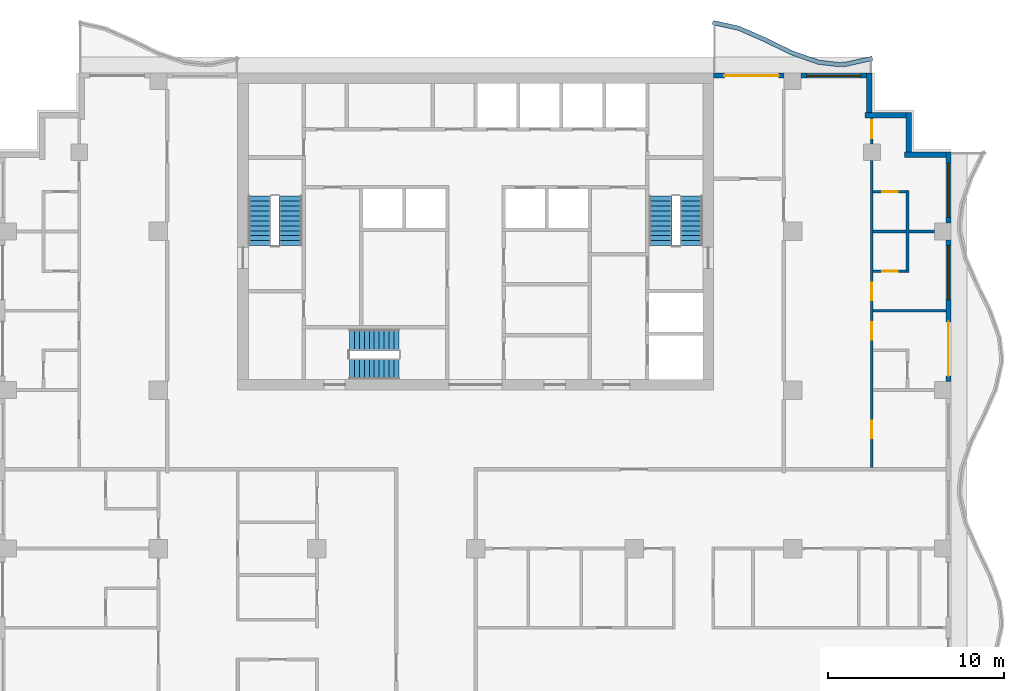
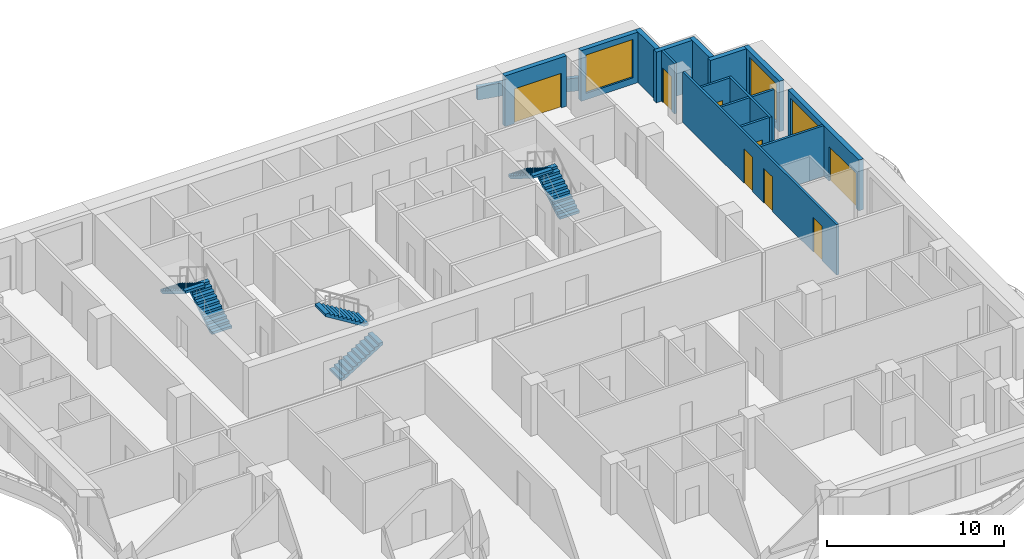
# One storey, part 7 of 11: 17 walls, 8 doors, 6 stair flights, 3 windows, 11 openings, 3 elements without a shape of their own.
"""IFC4 building model written with IfcOpenShell, lengths in metres."""

from ifc_helpers import new_model, si_unit, direction, frame, frame_2d, origin, place, context, subcontext, project, spatial, polyline, rectangle, outline, extrude, material, layer, layer_set, type_object, element, fill, aggregate, save


model = new_model("IFC4")

# Units and contexts
model_context = context("Model", 3, precision=1e-05, world=origin(), true_north=direction((0.0, 1.0)))
body_context = subcontext(model_context, "Body", "Model", "MODEL_VIEW")
ifc_project = project(units=[si_unit("LENGTHUNIT", "METRE"), si_unit("AREAUNIT", "SQUARE_METRE"), si_unit("VOLUMEUNIT", "CUBIC_METRE"), si_unit("PLANEANGLEUNIT", "RADIAN"), si_unit("MASSUNIT", "GRAM", prefix="KILO")], contexts=[model_context])

# Site, building, storey
site_placement = place(None, origin())
site = spatial("IfcSite", under=ifc_project, at=site_placement, CompositionType="ELEMENT")
building_placement = place(site_placement, origin())
building = spatial("IfcBuilding", under=site, at=building_placement, Name="Orbiselva Terraces", CompositionType="ELEMENT")
storey_placement = place(building_placement, frame((0.0, 0.0, 230.0)))
storey = spatial("IfcBuildingStorey", under=building, at=storey_placement, Name="L58", CompositionType="ELEMENT", Elevation=230.0)

# Wall
ifc_material_1 = material(Name="Concrete C40/50", Category="concrete")
ifc_layer_1 = layer(ifc_material_1, 0.25)
ifc_layer_set_1 = layer_set([ifc_layer_1], Name="Concrete C40/50")
wall_type_1 = type_object("IfcWallType", Name="ENV-PLANTER-250x900", PredefinedType="USERDEFINED", material=ifc_layer_set_1)
wall_1_placement = place(storey_placement, origin())
element("IfcWall", 1, at=wall_1_placement, inside=storey, type_object=wall_type_1, Name="Balcony planter L58 NE", ObjectType="PLANTER", PredefinedType="USERDEFINED", context=body_context, shape_type="SweptSolid", body=[
    extrude(outline(polyline([(22.5, 23.451472), (21.0, 23.114774), (20.625, 23.1), (19.5, 23.230792), (18.0, 23.755211), (16.5, 24.487721), (15.0, 25.148528), (13.5, 25.485226), (13.445246, 25.241296), (14.921492, 24.90993), (16.394714, 24.260919), (17.90356, 23.524089), (19.443629, 22.985662), (20.615428, 22.849429), (21.032565, 22.865863), (22.554754, 23.207542), (22.5, 23.451472)])), origin(), (0.0, 0.0, 1.0), 0.9),
])

# Wall, openings, door, window
ifc_material_2 = material(Name="Terracotta cladding on masonry backing", Category="masonry")
ifc_layer_2 = layer(ifc_material_2, 0.3)
ifc_layer_set_2 = layer_set([ifc_layer_2], Name="Terracotta cladding on masonry backing")
wall_type_2 = type_object("IfcWallType", Name="ENV-WALL-TERRACOTTA-300", PredefinedType="SOLIDWALL", material=ifc_layer_set_2)
wall_2_placement = place(storey_placement, frame((26.85, 13.025, 0.0), z_axis=(0.0, 0.0, 1.0), x_axis=(0.0, -1.0, 0.0)))
wall_2 = element("IfcWall", 2, at=wall_2_placement, inside=storey, type_object=wall_type_2, Name="Facade wall L58 E", PredefinedType="SOLIDWALL", context=body_context, shape_type="SweptSolid", body=[
    extrude(rectangle(XDim=8.05, YDim=0.3, at=frame_2d((4.025, 0.0))), origin(), (0.0, 0.0, 1.0), 3.5),
])
opening_1_placement = place(wall_2_placement, frame((4.65, 0.0, 0.0)))
opening_1 = element("IfcOpeningElement", 3, at=opening_1_placement, cuts=wall_2, Name="Opening Z4-E-E05", PredefinedType="OPENING", context=body_context, shape_type="SweptSolid", body=[
    extrude(rectangle(XDim=3.075, YDim=2.4, at=frame_2d((1.5375, 1.2))), frame((0.0, 0.16, 0.0), z_axis=(0.0, -1.0, 0.0), x_axis=(1.0, 0.0, 0.0)), (0.0, 0.0, 1.0), 0.32),
])
opening_2_placement = place(wall_2_placement, frame((0.325, 0.0, 0.45)))
opening_2 = element("IfcOpeningElement", 4, at=opening_2_placement, cuts=wall_2, Name="Opening WN15", PredefinedType="OPENING", context=body_context, shape_type="SweptSolid", body=[
    extrude(rectangle(XDim=3.075, YDim=2.65, at=frame_2d((1.5375, 1.325))), frame((0.0, 0.16, 0.0), z_axis=(0.0, -1.0, 0.0), x_axis=(1.0, 0.0, 0.0)), (0.0, 0.0, 1.0), 0.32),
])
ifc_material_3 = material(Name="Clear low-e glazing in aluminium frame", Category="aluminium")
door_type_1 = type_object("IfcDoorType", Name="BALCONY DOOR 3075 X 2400", OperationType="DOUBLE_DOOR_SLIDING", PredefinedType="DOOR", material=ifc_material_3)
door_1_placement = place(opening_1_placement, origin())
door_1 = element("IfcDoor", 5, at=door_1_placement, inside=storey, type_object=door_type_1, Name="Z4-E-E05", OperationType="SINGLE_SWING_LEFT", OverallHeight=2.4, OverallWidth=3.075, PredefinedType="DOOR", context=body_context, shape_type="SweptSolid", body=[
    extrude(rectangle(XDim=3.075, YDim=2.4, at=frame_2d((1.5375, 1.2))), frame((0.0, 0.025, 0.0), z_axis=(0.0, -1.0, 0.0), x_axis=(1.0, 0.0, 0.0)), (0.0, 0.0, 1.0), 0.05),
])
fill(opening_1, door_1)
window_type = type_object("IfcWindowType", Name="WINDOW 3075 X 2650 S450", PartitioningType="TRIPLE_PANEL_VERTICAL", PredefinedType="WINDOW", material=ifc_material_3)
window_1_placement = place(opening_2_placement, origin())
window_1 = element("IfcWindow", 6, at=window_1_placement, inside=storey, type_object=window_type, Name="Window L58 E", OverallHeight=2.65, OverallWidth=3.075, PartitioningType="SINGLE_PANEL", PredefinedType="WINDOW", context=body_context, shape_type="SweptSolid", body=[
    extrude(rectangle(XDim=3.075, YDim=2.65, at=frame_2d((1.5375, 1.325))), frame((0.0, 0.03, 0.0), z_axis=(0.0, -1.0, 0.0), x_axis=(1.0, 0.0, 0.0)), (0.0, 0.0, 1.0), 0.06),
])
fill(opening_2, window_1)

# Wall, opening, window
wall_3_placement = place(storey_placement, frame((26.85, 18.0, 0.0), z_axis=(0.0, 0.0, 1.0), x_axis=(0.0, -1.0, 0.0)))
wall_3 = element("IfcWall", 7, at=wall_3_placement, inside=storey, type_object=wall_type_2, Name="Facade wall L58 E", PredefinedType="SOLIDWALL", context=body_context, shape_type="SweptSolid", body=[
    extrude(rectangle(XDim=4.025, YDim=0.3, at=frame_2d((2.0125, 0.0))), origin(), (0.0, 0.0, 1.0), 3.5),
])
opening_3_placement = place(wall_3_placement, frame((0.625, 0.0, 0.45)))
opening_3 = element("IfcOpeningElement", 8, at=opening_3_placement, cuts=wall_3, Name="Opening WN15", PredefinedType="OPENING", context=body_context, shape_type="SweptSolid", body=[
    extrude(rectangle(XDim=3.075, YDim=2.65, at=frame_2d((1.5375, 1.325))), frame((0.0, 0.16, 0.0), z_axis=(0.0, -1.0, 0.0), x_axis=(1.0, 0.0, 0.0)), (0.0, 0.0, 1.0), 0.32),
])
window_2_placement = place(opening_3_placement, origin())
window_2 = element("IfcWindow", 9, at=window_2_placement, inside=storey, type_object=window_type, Name="Window L58 E", OverallHeight=2.65, OverallWidth=3.075, PartitioningType="SINGLE_PANEL", PredefinedType="WINDOW", context=body_context, shape_type="SweptSolid", body=[
    extrude(rectangle(XDim=3.075, YDim=2.65, at=frame_2d((1.5375, 1.325))), frame((0.0, 0.03, 0.0), z_axis=(0.0, -1.0, 0.0), x_axis=(1.0, 0.0, 0.0)), (0.0, 0.0, 1.0), 0.06),
])
fill(opening_3, window_2)

# Walls
wall_4_placement = place(storey_placement, frame((24.35, 17.85, 0.0), z_axis=(0.0, 0.0, 1.0), x_axis=(1.0, 0.0, 0.0)))
element("IfcWall", 10, at=wall_4_placement, inside=storey, type_object=wall_type_2, Name="Facade wall L58 STEP", PredefinedType="SOLIDWALL", context=body_context, shape_type="SweptSolid", body=[
    extrude(rectangle(XDim=2.35, YDim=0.3, at=frame_2d((1.175, 0.0))), origin(), (0.0, 0.0, 1.0), 3.5),
])
wall_5_placement = place(storey_placement, frame((24.6, 20.25, 0.0), z_axis=(0.0, 0.0, 1.0), x_axis=(0.0, -1.0, 0.0)))
element("IfcWall", 11, at=wall_5_placement, inside=storey, type_object=wall_type_2, Name="Facade wall L58 STEP", PredefinedType="SOLIDWALL", context=body_context, shape_type="SweptSolid", body=[
    extrude(rectangle(XDim=2.25, YDim=0.3, at=frame_2d((1.125, 0.0))), origin(), (0.0, 0.0, 1.0), 3.5),
])
wall_6_placement = place(storey_placement, frame((22.1, 20.1, 0.0), z_axis=(0.0, 0.0, 1.0), x_axis=(1.0, 0.0, 0.0)))
element("IfcWall", 12, at=wall_6_placement, inside=storey, type_object=wall_type_2, Name="Facade wall L58 STEP", PredefinedType="SOLIDWALL", context=body_context, shape_type="SweptSolid", body=[
    extrude(rectangle(XDim=2.35, YDim=0.3, at=frame_2d((1.175, 0.0))), origin(), (0.0, 0.0, 1.0), 3.5),
])
wall_7_placement = place(storey_placement, frame((22.35, 22.5, 0.0), z_axis=(0.0, 0.0, 1.0), x_axis=(0.0, -1.0, 0.0)))
element("IfcWall", 13, at=wall_7_placement, inside=storey, type_object=wall_type_2, Name="Facade wall L58 STEP", PredefinedType="SOLIDWALL", context=body_context, shape_type="SweptSolid", body=[
    extrude(rectangle(XDim=2.25, YDim=0.3, at=frame_2d((1.125, 0.0))), origin(), (0.0, 0.0, 1.0), 3.5),
])

# Wall, opening, window
wall_8_placement = place(storey_placement, frame((18.475, 22.35, 0.0), z_axis=(0.0, 0.0, 1.0), x_axis=(1.0, 0.0, 0.0)))
wall_8 = element("IfcWall", 14, at=wall_8_placement, inside=storey, type_object=wall_type_2, Name="Facade wall L58 NE", PredefinedType="SOLIDWALL", context=body_context, shape_type="SweptSolid", body=[
    extrude(rectangle(XDim=3.725, YDim=0.3, at=frame_2d((1.8625, 0.0))), origin(), (0.0, 0.0, 1.0), 3.5),
])
opening_4_placement = place(wall_8_placement, frame((0.325, 0.0, 0.45)))
opening_4 = element("IfcOpeningElement", 15, at=opening_4_placement, cuts=wall_8, Name="Opening WN15", PredefinedType="OPENING", context=body_context, shape_type="SweptSolid", body=[
    extrude(rectangle(XDim=3.075, YDim=2.65, at=frame_2d((1.5375, 1.325))), frame((0.0, 0.16, 0.0), z_axis=(0.0, -1.0, 0.0), x_axis=(1.0, 0.0, 0.0)), (0.0, 0.0, 1.0), 0.32),
])
window_3_placement = place(opening_4_placement, origin())
window_3 = element("IfcWindow", 16, at=window_3_placement, inside=storey, type_object=window_type, Name="Window L58 NE", OverallHeight=2.65, OverallWidth=3.075, PartitioningType="SINGLE_PANEL", PredefinedType="WINDOW", context=body_context, shape_type="SweptSolid", body=[
    extrude(rectangle(XDim=3.075, YDim=2.65, at=frame_2d((1.5375, 1.325))), frame((0.0, 0.03, 0.0), z_axis=(0.0, -1.0, 0.0), x_axis=(1.0, 0.0, 0.0)), (0.0, 0.0, 1.0), 0.06),
])
fill(opening_4, window_3)

# Wall, opening, door
wall_9_placement = place(storey_placement, frame((13.5, 22.35, 0.0), z_axis=(0.0, 0.0, 1.0), x_axis=(1.0, 0.0, 0.0)))
wall_9 = element("IfcWall", 17, at=wall_9_placement, inside=storey, type_object=wall_type_2, Name="Facade wall L58 NE", PredefinedType="SOLIDWALL", context=body_context, shape_type="SweptSolid", body=[
    extrude(rectangle(XDim=4.025, YDim=0.3, at=frame_2d((2.0125, 0.0))), origin(), (0.0, 0.0, 1.0), 3.5),
])
opening_5_placement = place(wall_9_placement, frame((0.625, 0.0, 0.0)))
opening_5 = element("IfcOpeningElement", 18, at=opening_5_placement, cuts=wall_9, Name="Opening Z4-E-E13", PredefinedType="OPENING", context=body_context, shape_type="SweptSolid", body=[
    extrude(rectangle(XDim=3.075, YDim=2.4, at=frame_2d((1.5375, 1.2))), frame((0.0, 0.16, 0.0), z_axis=(0.0, -1.0, 0.0), x_axis=(1.0, 0.0, 0.0)), (0.0, 0.0, 1.0), 0.32),
])
door_2_placement = place(opening_5_placement, origin())
door_2 = element("IfcDoor", 19, at=door_2_placement, inside=storey, type_object=door_type_1, Name="Z4-E-E13", OperationType="SINGLE_SWING_LEFT", OverallHeight=2.4, OverallWidth=3.075, PredefinedType="DOOR", context=body_context, shape_type="SweptSolid", body=[
    extrude(rectangle(XDim=3.075, YDim=2.4, at=frame_2d((1.5375, 1.2))), frame((0.0, 0.025, 0.0), z_axis=(0.0, -1.0, 0.0), x_axis=(1.0, 0.0, 0.0)), (0.0, 0.0, 1.0), 0.05),
])
fill(opening_5, door_2)

# Wall
ifc_material_4 = material(Name="Plasterboard on steel stud partition", Category="steel")
ifc_layer_3 = layer(ifc_material_4, 0.15)
ifc_layer_set_3 = layer_set([ifc_layer_3], Name="Plasterboard on steel stud partition")
wall_type_3 = type_object("IfcWallType", Name="UNIT-PARTITION-150", PredefinedType="PARTITIONING", material=ifc_layer_set_3)
wall_10_placement = place(storey_placement, frame((22.575, 9.0, 0.0), z_axis=(0.0, 0.0, 1.0), x_axis=(1.0, 0.0, 0.0)))
element("IfcWall", 20, at=wall_10_placement, inside=storey, type_object=wall_type_3, Name="PARTITION L58-037", PredefinedType="PARTITIONING", context=body_context, shape_type="SweptSolid", body=[
    extrude(rectangle(XDim=4.125, YDim=0.15, at=frame_2d((2.0625, 0.0))), origin(), (0.0, 0.0, 1.0), 3.5),
])

# Wall, opening, door
wall_11_placement = place(storey_placement, frame((22.575, 11.25, 0.0), z_axis=(0.0, 0.0, 1.0), x_axis=(1.0, 0.0, 0.0)))
wall_11 = element("IfcWall", 21, at=wall_11_placement, inside=storey, type_object=wall_type_3, Name="PARTITION L58-039", PredefinedType="PARTITIONING", context=body_context, shape_type="SweptSolid", body=[
    extrude(rectangle(XDim=1.875, YDim=0.15, at=frame_2d((0.9375, 0.0))), origin(), (0.0, 0.0, 1.0), 3.5),
])
opening_6_placement = place(wall_11_placement, frame((0.5, 0.0, 0.0)))
opening_6 = element("IfcOpeningElement", 22, at=opening_6_placement, cuts=wall_11, Name="Opening Z4-E-15", PredefinedType="OPENING", context=body_context, shape_type="SweptSolid", body=[
    extrude(rectangle(XDim=0.9, YDim=2.1, at=frame_2d((0.45, 1.05))), frame((0.0, 0.085, 0.0), z_axis=(0.0, -1.0, 0.0), x_axis=(1.0, 0.0, 0.0)), (0.0, 0.0, 1.0), 0.17),
])
ifc_material_5 = material(Name="Painted timber door leaf", Category="wood")
door_type_2 = type_object("IfcDoorType", Name="BATH DOOR 900", OperationType="NOTDEFINED", PredefinedType="DOOR", material=ifc_material_5)
door_3_placement = place(opening_6_placement, origin())
door_3 = element("IfcDoor", 23, at=door_3_placement, inside=storey, type_object=door_type_2, Name="Z4-E-15", OperationType="SINGLE_SWING_RIGHT", OverallHeight=2.1, OverallWidth=0.9, PredefinedType="DOOR", context=body_context, shape_type="SweptSolid", body=[
    extrude(rectangle(XDim=0.9, YDim=2.1, at=frame_2d((0.45, 1.05))), frame((0.0, 0.025, 0.0), z_axis=(0.0, -1.0, 0.0), x_axis=(1.0, 0.0, 0.0)), (0.0, 0.0, 1.0), 0.05),
])
fill(opening_6, door_3)

# Walls
wall_12_placement = place(storey_placement, frame((22.575, 13.5, 0.0), z_axis=(0.0, 0.0, 1.0), x_axis=(1.0, 0.0, 0.0)))
element("IfcWall", 24, at=wall_12_placement, inside=storey, type_object=wall_type_3, Name="PARTITION L58-042", PredefinedType="PARTITIONING", context=body_context, shape_type="SweptSolid", body=[
    extrude(rectangle(XDim=1.875, YDim=0.15, at=frame_2d((0.9375, 0.0))), origin(), (0.0, 0.0, 1.0), 3.5),
])
wall_13_placement = place(storey_placement, frame((24.6, 13.5, 0.0), z_axis=(0.0, 0.0, 1.0), x_axis=(1.0, 0.0, 0.0)))
element("IfcWall", 25, at=wall_13_placement, inside=storey, type_object=wall_type_3, Name="PARTITION L58-043", PredefinedType="PARTITIONING", context=body_context, shape_type="SweptSolid", body=[
    extrude(rectangle(XDim=1.45, YDim=0.15, at=frame_2d((0.725, 0.0))), origin(), (0.0, 0.0, 1.0), 3.5),
])

# Wall, opening, door
wall_14_placement = place(storey_placement, frame((24.45, 15.75, 0.0), z_axis=(0.0, 0.0, 1.0), x_axis=(-1.0, 0.0, 0.0)))
wall_14 = element("IfcWall", 26, at=wall_14_placement, inside=storey, type_object=wall_type_3, Name="PARTITION L58-045", PredefinedType="PARTITIONING", context=body_context, shape_type="SweptSolid", body=[
    extrude(rectangle(XDim=1.875, YDim=0.15, at=frame_2d((0.9375, 0.0))), origin(), (0.0, 0.0, 1.0), 3.5),
])
opening_7_placement = place(wall_14_placement, frame((0.475, 0.0, 0.0)))
opening_7 = element("IfcOpeningElement", 27, at=opening_7_placement, cuts=wall_14, Name="Opening Z4-E-17", PredefinedType="OPENING", context=body_context, shape_type="SweptSolid", body=[
    extrude(rectangle(XDim=0.9, YDim=2.1, at=frame_2d((0.45, 1.05))), frame((0.0, 0.085, 0.0), z_axis=(0.0, -1.0, 0.0), x_axis=(1.0, 0.0, 0.0)), (0.0, 0.0, 1.0), 0.17),
])
door_4_placement = place(opening_7_placement, origin())
door_4 = element("IfcDoor", 28, at=door_4_placement, inside=storey, type_object=door_type_2, Name="Z4-E-17", OperationType="SINGLE_SWING_LEFT", OverallHeight=2.1, OverallWidth=0.9, PredefinedType="DOOR", context=body_context, shape_type="SweptSolid", body=[
    extrude(rectangle(XDim=0.9, YDim=2.1, at=frame_2d((0.45, 1.05))), frame((0.0, 0.025, 0.0), z_axis=(0.0, -1.0, 0.0), x_axis=(1.0, 0.0, 0.0)), (0.0, 0.0, 1.0), 0.05),
])
fill(opening_7, door_4)

# Wall, openings, doors
wall_15_placement = place(storey_placement, frame((22.5, 17.525, 0.0), z_axis=(0.0, 0.0, 1.0), x_axis=(0.0, -1.0, 0.0)))
wall_15 = element("IfcWall", 29, at=wall_15_placement, inside=storey, type_object=wall_type_3, Name="PARTITION L58-090", PredefinedType="PARTITIONING", context=body_context, shape_type="SweptSolid", body=[
    extrude(rectangle(XDim=17.425, YDim=0.15, at=frame_2d((8.7125, 0.0))), origin(), (0.0, 0.0, 1.0), 3.5),
])
opening_8_placement = place(wall_15_placement, frame((14.775, 0.0, 0.0)))
opening_8 = element("IfcOpeningElement", 30, at=opening_8_placement, cuts=wall_15, Name="Opening Z4-E-11", PredefinedType="OPENING", context=body_context, shape_type="SweptSolid", body=[
    extrude(rectangle(XDim=1.0, YDim=2.4, at=frame_2d((0.5, 1.2))), frame((0.0, 0.085, 0.0), z_axis=(0.0, -1.0, 0.0), x_axis=(1.0, 0.0, 0.0)), (0.0, 0.0, 1.0), 0.17),
])
opening_9_placement = place(wall_15_placement, frame((9.175, 0.0, 0.0)))
opening_9 = element("IfcOpeningElement", 31, at=opening_9_placement, cuts=wall_15, Name="Opening Z4-E-12", PredefinedType="OPENING", context=body_context, shape_type="SweptSolid", body=[
    extrude(rectangle(XDim=1.0, YDim=2.4, at=frame_2d((0.5, 1.2))), frame((0.0, 0.085, 0.0), z_axis=(0.0, -1.0, 0.0), x_axis=(1.0, 0.0, 0.0)), (0.0, 0.0, 1.0), 0.17),
])
opening_10_placement = place(wall_15_placement, frame((6.925, 0.0, 0.0)))
opening_10 = element("IfcOpeningElement", 32, at=opening_10_placement, cuts=wall_15, Name="Opening Z4-E-14", PredefinedType="OPENING", context=body_context, shape_type="SweptSolid", body=[
    extrude(rectangle(XDim=1.0, YDim=2.4, at=frame_2d((0.5, 1.2))), frame((0.0, 0.085, 0.0), z_axis=(0.0, -1.0, 0.0), x_axis=(1.0, 0.0, 0.0)), (0.0, 0.0, 1.0), 0.17),
])
door_type_3 = type_object("IfcDoorType", Name="ROOM DOOR 1000", OperationType="NOTDEFINED", PredefinedType="DOOR", material=ifc_material_5)
door_5_placement = place(opening_8_placement, origin())
door_5 = element("IfcDoor", 33, at=door_5_placement, inside=storey, type_object=door_type_3, Name="Z4-E-11", OperationType="SINGLE_SWING_RIGHT", OverallHeight=2.4, OverallWidth=1.0, PredefinedType="DOOR", context=body_context, shape_type="SweptSolid", body=[
    extrude(rectangle(XDim=1.0, YDim=2.4, at=frame_2d((0.5, 1.2))), frame((0.0, 0.025, 0.0), z_axis=(0.0, -1.0, 0.0), x_axis=(1.0, 0.0, 0.0)), (0.0, 0.0, 1.0), 0.05),
])
fill(opening_8, door_5)
door_6_placement = place(opening_9_placement, origin())
door_6 = element("IfcDoor", 34, at=door_6_placement, inside=storey, type_object=door_type_3, Name="Z4-E-12", OperationType="SINGLE_SWING_RIGHT", OverallHeight=2.4, OverallWidth=1.0, PredefinedType="DOOR", context=body_context, shape_type="SweptSolid", body=[
    extrude(rectangle(XDim=1.0, YDim=2.4, at=frame_2d((0.5, 1.2))), frame((0.0, 0.025, 0.0), z_axis=(0.0, -1.0, 0.0), x_axis=(1.0, 0.0, 0.0)), (0.0, 0.0, 1.0), 0.05),
])
fill(opening_9, door_6)
door_7_placement = place(opening_10_placement, origin())
door_7 = element("IfcDoor", 35, at=door_7_placement, inside=storey, type_object=door_type_3, Name="Z4-E-14", OperationType="SINGLE_SWING_LEFT", OverallHeight=2.4, OverallWidth=1.0, PredefinedType="DOOR", context=body_context, shape_type="SweptSolid", body=[
    extrude(rectangle(XDim=1.0, YDim=2.4, at=frame_2d((0.5, 1.2))), frame((0.0, 0.025, 0.0), z_axis=(0.0, -1.0, 0.0), x_axis=(1.0, 0.0, 0.0)), (0.0, 0.0, 1.0), 0.05),
])
fill(opening_10, door_7)

# Wall, opening, door
wall_16_placement = place(storey_placement, frame((22.5, 19.95, 0.0), z_axis=(0.0, 0.0, 1.0), x_axis=(0.0, -1.0, 0.0)))
wall_16 = element("IfcWall", 36, at=wall_16_placement, inside=storey, type_object=wall_type_3, Name="PARTITION L58-091", PredefinedType="PARTITIONING", context=body_context, shape_type="SweptSolid", body=[
    extrude(rectangle(XDim=1.475, YDim=0.15, at=frame_2d((0.7375, 0.0))), origin(), (0.0, 0.0, 1.0), 3.5),
])
opening_11_placement = place(wall_16_placement, frame((0.15, 0.0, 0.0)))
opening_11 = element("IfcOpeningElement", 37, at=opening_11_placement, cuts=wall_16, Name="Opening Z4-E-16", PredefinedType="OPENING", context=body_context, shape_type="SweptSolid", body=[
    extrude(rectangle(XDim=1.0, YDim=2.4, at=frame_2d((0.5, 1.2))), frame((0.0, 0.085, 0.0), z_axis=(0.0, -1.0, 0.0), x_axis=(1.0, 0.0, 0.0)), (0.0, 0.0, 1.0), 0.17),
])
door_8_placement = place(opening_11_placement, origin())
door_8 = element("IfcDoor", 38, at=door_8_placement, inside=storey, type_object=door_type_3, Name="Z4-E-16", OperationType="SINGLE_SWING_LEFT", OverallHeight=2.4, OverallWidth=1.0, PredefinedType="DOOR", context=body_context, shape_type="SweptSolid", body=[
    extrude(rectangle(XDim=1.0, YDim=2.4, at=frame_2d((0.5, 1.2))), frame((0.0, 0.025, 0.0), z_axis=(0.0, -1.0, 0.0), x_axis=(1.0, 0.0, 0.0)), (0.0, 0.0, 1.0), 0.05),
])
fill(opening_11, door_8)

# Wall
wall_17_placement = place(storey_placement, frame((24.525, 11.175, 0.0), z_axis=(0.0, 0.0, 1.0), x_axis=(0.0, 1.0, 0.0)))
element("IfcWall", 39, at=wall_17_placement, inside=storey, type_object=wall_type_3, Name="PARTITION L58-094", PredefinedType="PARTITIONING", context=body_context, shape_type="SweptSolid", body=[
    extrude(rectangle(XDim=4.65, YDim=0.15, at=frame_2d((2.325, 0.0))), origin(), (0.0, 0.0, 1.0), 3.5),
])

# Stair, stair flights
stair_type_1 = type_object("IfcStairType", Name="CORE-STAIR-1200", PredefinedType="HALF_TURN_STAIR", material=ifc_material_1)
stair_1_placement = place(storey_placement, origin())
stair_1 = element("IfcStair", 40, at=stair_1_placement, inside=storey, type_object=stair_type_1, Name="L58 Exit Stair S3", PredefinedType="HALF_TURN_STAIR")
stair_flight_type_1 = type_object("IfcStairFlightType", Name="CORE-STAIR-FLIGHT-1200", PredefinedType="STRAIGHT", material=ifc_material_1)
stair_flight_1_placement = place(storey_placement, frame((-7.15, 5.7, 0.0), z_axis=(0.0, 0.0, 1.0), x_axis=(1.0, 0.0, 0.0)))
stair_flight_1 = element("IfcStairFlight", 41, at=stair_flight_1_placement, type_object=stair_flight_type_1, Name="S3 flight 1", NumberOfRisers=11, NumberOfTreads=10, PredefinedType="STRAIGHT", RiserHeight=0.172727273, TreadLength=0.28, context=body_context, shape_type="SweptSolid", body=[
    extrude(outline(polyline([(0.0, 0.0), (0.0, 0.172727), (0.28, 0.172727), (0.28, 0.345455), (0.56, 0.345455), (0.56, 0.518182), (0.84, 0.518182), (0.84, 0.690909), (1.12, 0.690909), (1.12, 0.863636), (1.4, 0.863636), (1.4, 1.036364), (1.68, 1.036364), (1.68, 1.209091), (1.96, 1.209091), (1.96, 1.381818), (2.24, 1.381818), (2.24, 1.554545), (2.52, 1.554545), (2.52, 1.727273), (2.8, 1.727273), (2.8, 1.9), (2.8, 1.551028), (0.285702, 0.0), (0.0, 0.0)])), frame((0.0, 0.6, 0.0), z_axis=(0.0, -1.0, 0.0), x_axis=(1.0, 0.0, 0.0)), (0.0, 0.0, 1.0), 1.2),
])
stair_flight_2_placement = place(storey_placement, frame((-4.35, 7.35, 1.9), z_axis=(0.0, 0.0, 1.0), x_axis=(-1.0, 0.0, 0.0)))
stair_flight_2 = element("IfcStairFlight", 42, at=stair_flight_2_placement, type_object=stair_flight_type_1, Name="S3 flight 2", NumberOfRisers=11, NumberOfTreads=10, PredefinedType="STRAIGHT", RiserHeight=0.172727273, TreadLength=0.28, context=body_context, shape_type="SweptSolid", body=[
    extrude(outline(polyline([(0.0, 0.0), (0.0, 0.172727), (0.28, 0.172727), (0.28, 0.345455), (0.56, 0.345455), (0.56, 0.518182), (0.84, 0.518182), (0.84, 0.690909), (1.12, 0.690909), (1.12, 0.863636), (1.4, 0.863636), (1.4, 1.036364), (1.68, 1.036364), (1.68, 1.209091), (1.96, 1.209091), (1.96, 1.381818), (2.24, 1.381818), (2.24, 1.554545), (2.52, 1.554545), (2.52, 1.727273), (2.8, 1.727273), (2.8, 1.9), (2.8, 1.551028), (0.285702, 0.0), (0.0, 0.0)])), frame((0.0, 0.6, 0.0), z_axis=(0.0, -1.0, 0.0), x_axis=(1.0, 0.0, 0.0)), (0.0, 0.0, 1.0), 1.2),
])
aggregate(stair_1, [stair_flight_1, stair_flight_2])

stair_type_2 = type_object("IfcStairType", Name="CORE-STAIR-1300", PredefinedType="HALF_TURN_STAIR", material=ifc_material_1)
stair_2_placement = place(storey_placement, origin())
stair_2 = element("IfcStair", 43, at=stair_2_placement, inside=storey, type_object=stair_type_2, Name="L58 Exit Stair S1", PredefinedType="HALF_TURN_STAIR")
stair_flight_type_2 = type_object("IfcStairFlightType", Name="CORE-STAIR-FLIGHT-1300", PredefinedType="STRAIGHT", material=ifc_material_1)
stair_flight_3_placement = place(storey_placement, frame((-10.5, 12.7, 0.0), z_axis=(0.0, 0.0, 1.0), x_axis=(0.0, 1.0, 0.0)))
stair_flight_3 = element("IfcStairFlight", 44, at=stair_flight_3_placement, type_object=stair_flight_type_2, Name="S1 flight 1", NumberOfRisers=11, NumberOfTreads=10, PredefinedType="STRAIGHT", RiserHeight=0.172727273, TreadLength=0.28, context=body_context, shape_type="SweptSolid", body=[
    extrude(outline(polyline([(0.0, 0.0), (0.0, 0.172727), (0.28, 0.172727), (0.28, 0.345455), (0.56, 0.345455), (0.56, 0.518182), (0.84, 0.518182), (0.84, 0.690909), (1.12, 0.690909), (1.12, 0.863636), (1.4, 0.863636), (1.4, 1.036364), (1.68, 1.036364), (1.68, 1.209091), (1.96, 1.209091), (1.96, 1.381818), (2.24, 1.381818), (2.24, 1.554545), (2.52, 1.554545), (2.52, 1.727273), (2.8, 1.727273), (2.8, 1.9), (2.8, 1.551028), (0.285702, 0.0), (0.0, 0.0)])), frame((0.0, 0.65, 0.0), z_axis=(0.0, -1.0, 0.0), x_axis=(1.0, 0.0, 0.0)), (0.0, 0.0, 1.0), 1.3),
])
stair_flight_4_placement = place(storey_placement, frame((-12.25, 15.5, 1.9), z_axis=(0.0, 0.0, 1.0), x_axis=(0.0, -1.0, 0.0)))
stair_flight_4 = element("IfcStairFlight", 45, at=stair_flight_4_placement, type_object=stair_flight_type_2, Name="S1 flight 2", NumberOfRisers=11, NumberOfTreads=10, PredefinedType="STRAIGHT", RiserHeight=0.172727273, TreadLength=0.28, context=body_context, shape_type="SweptSolid", body=[
    extrude(outline(polyline([(0.0, 0.0), (0.0, 0.172727), (0.28, 0.172727), (0.28, 0.345455), (0.56, 0.345455), (0.56, 0.518182), (0.84, 0.518182), (0.84, 0.690909), (1.12, 0.690909), (1.12, 0.863636), (1.4, 0.863636), (1.4, 1.036364), (1.68, 1.036364), (1.68, 1.209091), (1.96, 1.209091), (1.96, 1.381818), (2.24, 1.381818), (2.24, 1.554545), (2.52, 1.554545), (2.52, 1.727273), (2.8, 1.727273), (2.8, 1.9), (2.8, 1.551028), (0.285702, 0.0), (0.0, 0.0)])), frame((0.0, 0.65, 0.0), z_axis=(0.0, -1.0, 0.0), x_axis=(1.0, 0.0, 0.0)), (0.0, 0.0, 1.0), 1.3),
])
aggregate(stair_2, [stair_flight_3, stair_flight_4])

stair_3_placement = place(storey_placement, origin())
stair_3 = element("IfcStair", 46, at=stair_3_placement, inside=storey, type_object=stair_type_2, Name="L58 Exit Stair S2", PredefinedType="HALF_TURN_STAIR")
stair_flight_5_placement = place(storey_placement, frame((12.25, 12.7, 0.0), z_axis=(0.0, 0.0, 1.0), x_axis=(0.0, 1.0, 0.0)))
stair_flight_5 = element("IfcStairFlight", 47, at=stair_flight_5_placement, type_object=stair_flight_type_2, Name="S2 flight 1", NumberOfRisers=11, NumberOfTreads=10, PredefinedType="STRAIGHT", RiserHeight=0.172727273, TreadLength=0.28, context=body_context, shape_type="SweptSolid", body=[
    extrude(outline(polyline([(0.0, 0.0), (0.0, 0.172727), (0.28, 0.172727), (0.28, 0.345455), (0.56, 0.345455), (0.56, 0.518182), (0.84, 0.518182), (0.84, 0.690909), (1.12, 0.690909), (1.12, 0.863636), (1.4, 0.863636), (1.4, 1.036364), (1.68, 1.036364), (1.68, 1.209091), (1.96, 1.209091), (1.96, 1.381818), (2.24, 1.381818), (2.24, 1.554545), (2.52, 1.554545), (2.52, 1.727273), (2.8, 1.727273), (2.8, 1.9), (2.8, 1.551028), (0.285702, 0.0), (0.0, 0.0)])), frame((0.0, 0.65, 0.0), z_axis=(0.0, -1.0, 0.0), x_axis=(1.0, 0.0, 0.0)), (0.0, 0.0, 1.0), 1.3),
])
stair_flight_6_placement = place(storey_placement, frame((10.5, 15.5, 1.9), z_axis=(0.0, 0.0, 1.0), x_axis=(0.0, -1.0, 0.0)))
stair_flight_6 = element("IfcStairFlight", 48, at=stair_flight_6_placement, type_object=stair_flight_type_2, Name="S2 flight 2", NumberOfRisers=11, NumberOfTreads=10, PredefinedType="STRAIGHT", RiserHeight=0.172727273, TreadLength=0.28, context=body_context, shape_type="SweptSolid", body=[
    extrude(outline(polyline([(0.0, 0.0), (0.0, 0.172727), (0.28, 0.172727), (0.28, 0.345455), (0.56, 0.345455), (0.56, 0.518182), (0.84, 0.518182), (0.84, 0.690909), (1.12, 0.690909), (1.12, 0.863636), (1.4, 0.863636), (1.4, 1.036364), (1.68, 1.036364), (1.68, 1.209091), (1.96, 1.209091), (1.96, 1.381818), (2.24, 1.381818), (2.24, 1.554545), (2.52, 1.554545), (2.52, 1.727273), (2.8, 1.727273), (2.8, 1.9), (2.8, 1.551028), (0.285702, 0.0), (0.0, 0.0)])), frame((0.0, 0.65, 0.0), z_axis=(0.0, -1.0, 0.0), x_axis=(1.0, 0.0, 0.0)), (0.0, 0.0, 1.0), 1.3),
])
aggregate(stair_3, [stair_flight_5, stair_flight_6])

save(model, "model.ifc")
